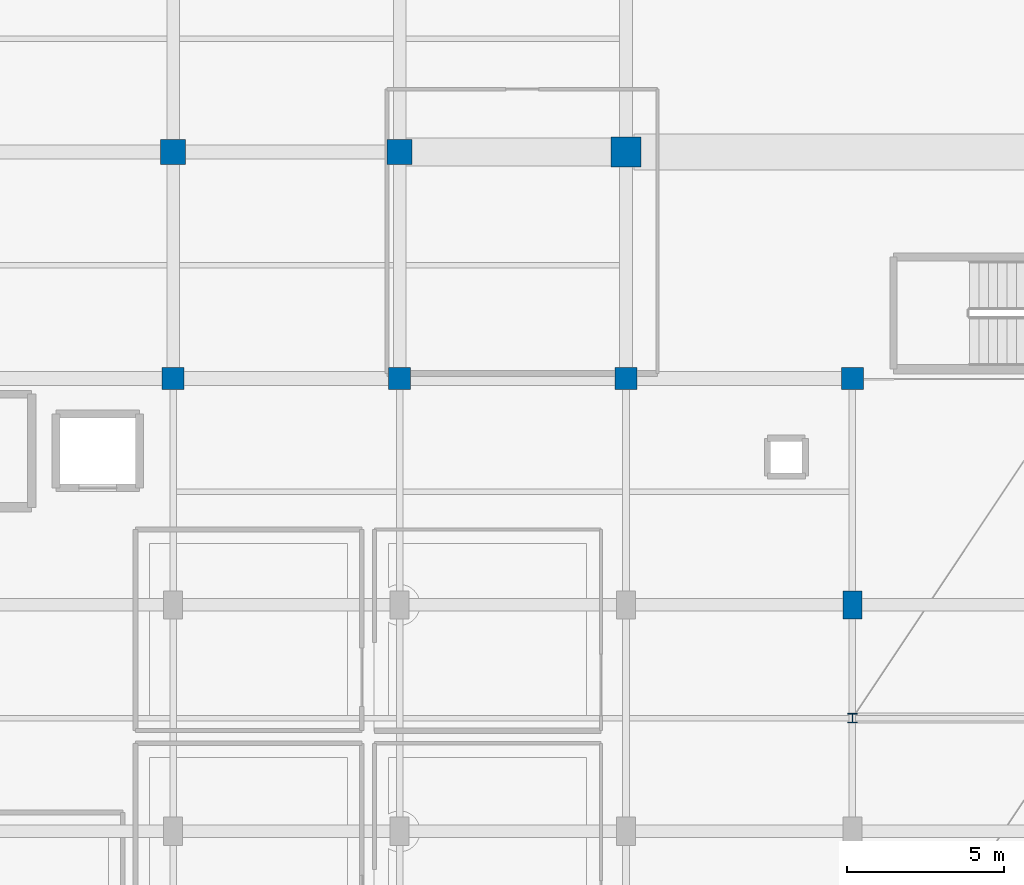
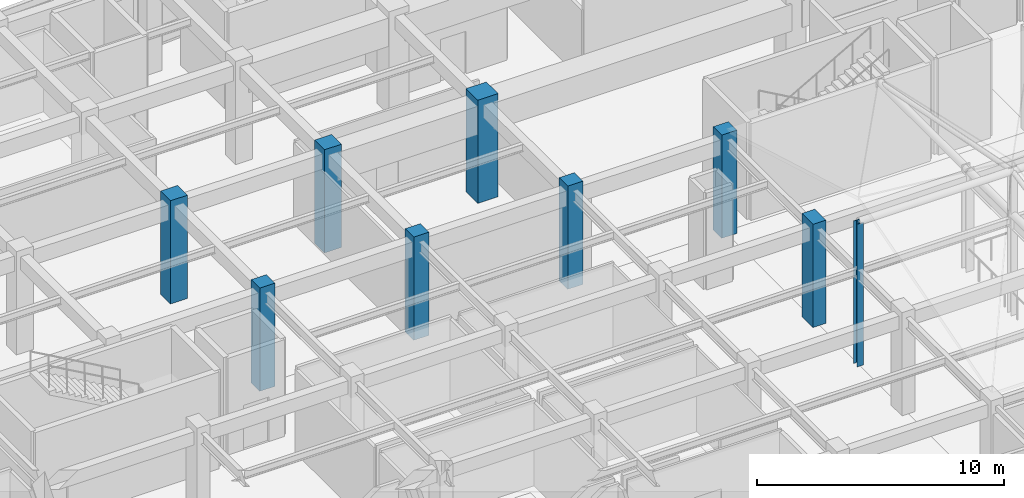
# One storey, part 5 of 117: 9 columns.
"""IFC4 building model written with IfcOpenShell, lengths in metres."""

from ifc_helpers import new_model, si_unit, direction, frame, origin, origin_2d, place, context, subcontext, project, spatial, rectangle, i_section, extrude, material, material_profile, profile_set, type_object, element, save


model = new_model("IFC4")

# Units and contexts
model_context = context("Model", 3, precision=1e-05, world=origin(), true_north=direction((0.0, 1.0)))
body_context = subcontext(model_context, "Body", "Model", "MODEL_VIEW")
ifc_project = project(units=[si_unit("LENGTHUNIT", "METRE"), si_unit("AREAUNIT", "SQUARE_METRE"), si_unit("VOLUMEUNIT", "CUBIC_METRE"), si_unit("PLANEANGLEUNIT", "RADIAN"), si_unit("MASSUNIT", "GRAM", prefix="KILO")], contexts=[model_context])

# Site, building, storey
site_placement = place(None, origin())
site = spatial("IfcSite", under=ifc_project, at=site_placement, CompositionType="ELEMENT")
building_placement = place(site_placement, origin())
building = spatial("IfcBuilding", under=site, at=building_placement, Name="Carrowvane Square Congress Hotel", CompositionType="ELEMENT")
storey_placement = place(building_placement, frame((0.0, 0.0, 5.39990234375)))
storey = spatial("IfcBuildingStorey", under=building, at=storey_placement, Name="L01", CompositionType="ELEMENT", Elevation=5.39990234375)

# Columns
ifc_material_1 = material(Name="Concrete C40/50", Category="concrete")
ifc_material_profile_1 = material_profile(ifc_material_1, rectangle(XDim=0.60009765625, YDim=0.89990234375, at=origin_2d()), Name="RC 600x900")
ifc_profile_set_1 = profile_set([ifc_material_profile_1], Name="Concrete C40/50")
column_type_1 = type_object("IfcColumnType", Name="COL-RC-600x900", PredefinedType="COLUMN", material=ifc_profile_set_1)
column_1_placement = place(storey_placement, frame((69.199951171875, 84.60009765625, 0.0), z_axis=(0.0, 0.0, 1.0), x_axis=(1.0, 0.0, 0.0)))
element("IfcColumn", 1, at=column_1_placement, inside=storey, type_object=column_type_1, Name="L01 column 9/M", PredefinedType="COLUMN", context=body_context, shape_type="SweptSolid", body=[
    extrude(rectangle(XDim=0.60009765625, YDim=0.89990234375, at=origin_2d()), origin(), (0.0, 0.0, 1.0), 5.10009765625),
])
ifc_material_2 = material(Name="Concrete C40/50", Category="concrete")
ifc_material_profile_2 = material_profile(ifc_material_2, rectangle(XDim=0.699951171875, YDim=0.699951171875, at=origin_2d()), Name="RC 700x700")
ifc_profile_set_2 = profile_set([ifc_material_profile_2], Name="Concrete C40/50")
column_type_2 = type_object("IfcColumnType", Name="COL-RC-700", PredefinedType="COLUMN", material=ifc_profile_set_2)
for number, where, z_axis, x_axis, name in (
    (2, (47.60009765625, 91.800048828125, 0.0), (0.0, 0.0, 1.0), (1.0, 0.0, 0.0), "L01 column 6/N"),
    (3, (54.800048828125, 91.800048828125, 0.0), (0.0, 0.0, 1.0), (1.0, 0.0, 0.0), "L01 column 7/N"),
    (4, (62.0, 91.800048828125, 0.0), (0.0, 0.0, 1.0), (1.0, 0.0, 0.0), "L01 column 8/N"),
    (5, (69.199951171875, 91.800048828125, 0.0), (0.0, 0.0, 1.0), (1.0, 0.0, 0.0), "L01 column 9/N"),
):
    element("IfcColumn", number, at=place(storey_placement, frame(where, z_axis=z_axis, x_axis=x_axis)), inside=storey, type_object=column_type_2, Name=name, PredefinedType="COLUMN", context=body_context, shape_type="SweptSolid", body=[
        extrude(rectangle(XDim=0.699951171875, YDim=0.699951171875, at=origin_2d()), origin(), (0.0, 0.0, 1.0), 5.10009765625),
    ])
ifc_material_3 = material(Name="Concrete C40/50", Category="concrete")
ifc_material_profile_3 = material_profile(ifc_material_3, rectangle(XDim=0.800048828125, YDim=0.800048828125, at=origin_2d()), Name="RC 800x800")
ifc_profile_set_3 = profile_set([ifc_material_profile_3], Name="Concrete C40/50")
column_type_3 = type_object("IfcColumnType", Name="COL-RC-800", PredefinedType="COLUMN", material=ifc_profile_set_3)
for number, where, z_axis, x_axis, name in (
    (6, (47.60009765625, 99.0, 0.0), (0.0, 0.0, 1.0), (1.0, 0.0, 0.0), "L01 column 6/P"),
    (7, (54.800048828125, 99.0, 0.0), (0.0, 0.0, 1.0), (1.0, 0.0, 0.0), "L01 column 7/P"),
):
    element("IfcColumn", number, at=place(storey_placement, frame(where, z_axis=z_axis, x_axis=x_axis)), inside=storey, type_object=column_type_3, Name=name, PredefinedType="COLUMN", context=body_context, shape_type="SweptSolid", body=[
        extrude(rectangle(XDim=0.800048828125, YDim=0.800048828125, at=origin_2d()), origin(), (0.0, 0.0, 1.0), 5.10009765625),
    ])
ifc_material_4 = material(Name="Steel S355", Category="steel")
ifc_material_profile_4 = material_profile(ifc_material_4, i_section(OverallWidth=0.300048828125, OverallDepth=0.300048828125, WebThickness=0.010986328125, FlangeThickness=0.01904296875, FilletRadius=0.027099609375, at=origin_2d()), Name="HEB 300")
ifc_profile_set_4 = profile_set([ifc_material_profile_4], Name="Steel S355")
column_type_4 = type_object("IfcColumnType", Name="COL-ST-HEB300", PredefinedType="COLUMN", material=ifc_profile_set_4)
column_2_placement = place(storey_placement, frame((69.199951171875, 81.0, 0.0), z_axis=(0.0, 0.0, 1.0), x_axis=(1.0, 0.0, 0.0)))
element("IfcColumn", 8, at=column_2_placement, inside=storey, type_object=column_type_4, Name="L01 column V6X69/RG", PredefinedType="COLUMN", context=body_context, shape_type="SweptSolid", body=[
    extrude(i_section(OverallWidth=0.300048828125, OverallDepth=0.300048828125, WebThickness=0.010986328125, FlangeThickness=0.01904296875, FilletRadius=0.027099609375, at=origin_2d()), origin(), (0.0, 0.0, 1.0), 7.045654296875),
])
ifc_material_5 = material(Name="Concrete C40/50", Category="concrete")
ifc_material_profile_5 = material_profile(ifc_material_5, rectangle(XDim=0.949951171875, YDim=0.949951171875, at=origin_2d()), Name="RC 950x950")
ifc_profile_set_5 = profile_set([ifc_material_profile_5], Name="Concrete C40/50")
column_type_5 = type_object("IfcColumnType", Name="MCOL-RC-1000", PredefinedType="COLUMN", material=ifc_profile_set_5)
column_3_placement = place(storey_placement, frame((62.0, 99.0, 0.0), z_axis=(0.0, 0.0, 1.0), x_axis=(1.0, 0.0, 0.0)))
element("IfcColumn", 9, at=column_3_placement, inside=storey, type_object=column_type_5, Name="L01 column 8/P", PredefinedType="COLUMN", context=body_context, shape_type="SweptSolid", body=[
    extrude(rectangle(XDim=0.949951171875, YDim=0.949951171875, at=origin_2d()), origin(), (0.0, 0.0, 1.0), 5.10009765625),
])

save(model, "model.ifc")
